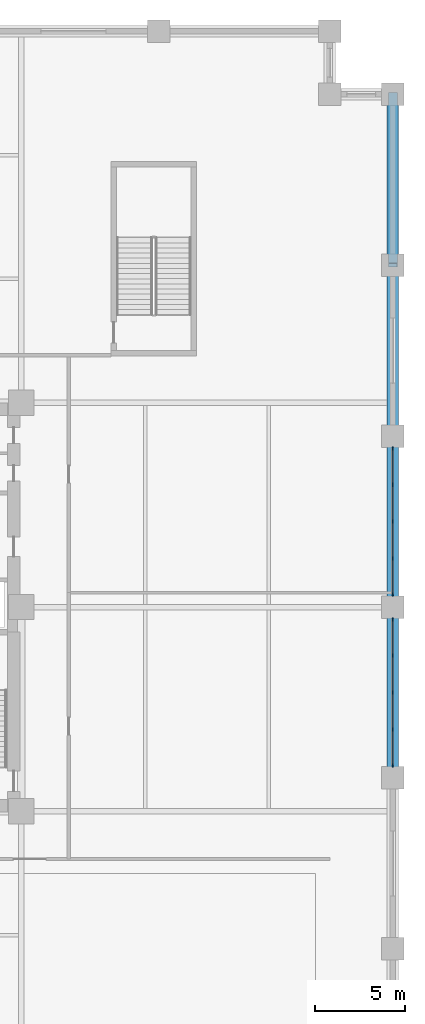
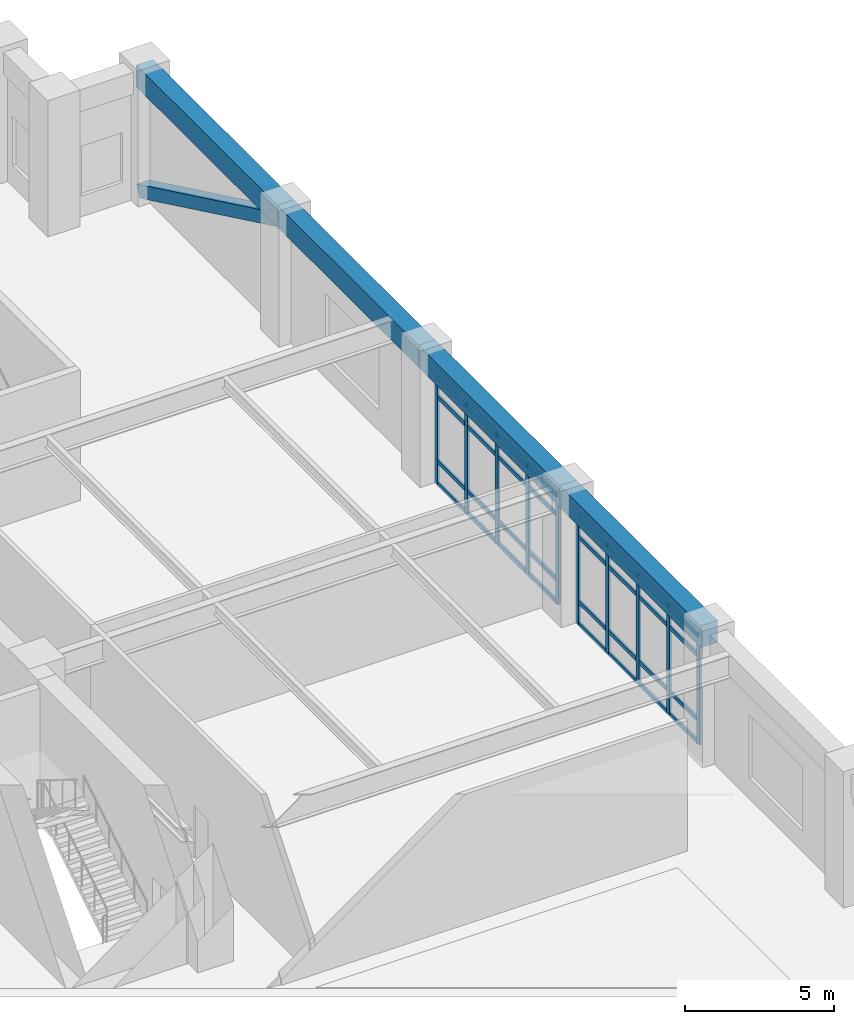
# One storey, part 8 of 21: 43 members, 4 beams, 2 elements without a shape of their own.
"""IFC4 building model written with IfcOpenShell, lengths in metres."""

import ifcopenshell
import ifcopenshell.guid

model = None  # the IFC model being written
_history = None  # IfcOwnerHistory: only IFC2X3 demands one
_inside = {}  # id of a spatial element -> (the spatial element, [elements in it])
_under = {}  # id of a project, library or spatial element -> (it, [spatial elements below it])
_declared = {}  # id of a project -> (the project, [libraries it declares])
_typed = {}  # id of a type object -> (the type object, [elements of that type])
_made_of = {}  # id of a material, layer set ... -> (it, [elements and type objects made of it])


def new_model(schema):
    """Start an empty IFC model of exactly this schema.

    Asked for "IFC4X3", IfcOpenShell would pick the latest addendum, in which some entities
    have other attributes; the version numbers below select the first issue.
    IFC2X3 requires an IfcOwnerHistory on every rooted entity: one is made here for all.
    """
    global model, _history
    if schema == "IFC4X3":
        model = ifcopenshell.file(schema_version=(4, 3, 0, 0))
    else:
        model = ifcopenshell.file(schema=schema)
    _inside.clear()
    _under.clear()
    _declared.clear()
    _typed.clear()
    _made_of.clear()
    _history = None
    if model.schema == "IFC2X3":
        org = make("IfcOrganization", Name="unknown")
        user = make(
            "IfcPersonAndOrganization",
            ThePerson=make("IfcPerson", FamilyName="unknown"),
            TheOrganization=org,
        )
        app = make(
            "IfcApplication",
            ApplicationDeveloper=org,
            Version="unknown",
            ApplicationFullName="unknown",
            ApplicationIdentifier="unknown",
        )
        _history = make(
            "IfcOwnerHistory",
            OwningUser=user,
            OwningApplication=app,
            ChangeAction="ADDED",
            CreationDate=0,
        )
    return model


def make(cls, **values):
    """One entity of the class cls with the attributes given. An attribute that is None is left unset."""
    return model.create_entity(
        cls, **{name: value for name, value in values.items() if value is not None}
    )


def rooted(cls, **values):
    """An entity with a GlobalId (a new one), such as an element, a storey or a relation."""
    return make(cls, GlobalId=ifcopenshell.guid.new(), OwnerHistory=_history, **values)


def si_unit(unit_type, name, prefix=None):
    """IfcSIUnit, for example si_unit("LENGTHUNIT", "METRE", prefix="MILLI")."""
    return make("IfcSIUnit", UnitType=unit_type, Prefix=prefix, Name=name)


def assignment(units):
    """IfcUnitAssignment: the units of a project."""
    return None if units is None else make("IfcUnitAssignment", Units=units)


def point(xyz):
    """IfcCartesianPoint."""
    return None if xyz is None else make("IfcCartesianPoint", Coordinates=xyz)


def direction(xyz):
    """IfcDirection."""
    return None if xyz is None else make("IfcDirection", DirectionRatios=xyz)


def frame(location, z_axis=None, x_axis=None):
    """IfcAxis2Placement3D, a coordinate frame: its origin and axes. An axis left out is left unset."""
    return make(
        "IfcAxis2Placement3D",
        Location=point(location),
        Axis=direction(z_axis),
        RefDirection=direction(x_axis),
    )


def frame_2d(location, x_axis=None):
    """IfcAxis2Placement2D, a coordinate frame in the plane: its origin and x axis."""
    return make(
        "IfcAxis2Placement2D", Location=point(location), RefDirection=direction(x_axis)
    )


def origin():
    """The frame at (0, 0, 0) with its axes left unset."""
    return frame((0.0, 0.0, 0.0))


def origin_2d():
    """The frame at (0, 0) in the plane with its x axis left unset."""
    return frame_2d((0.0, 0.0))


def place(relative_to, where):
    """IfcLocalPlacement: puts the frame where relative to a parent placement (None: the world)."""
    return make(
        "IfcLocalPlacement", PlacementRelTo=relative_to, RelativePlacement=where
    )


def context(
    kind, dimensions, precision=None, world=None, true_north=None, identifier=None
):
    """IfcGeometricRepresentationContext, for example the 3D "Model" context."""
    return make(
        "IfcGeometricRepresentationContext",
        ContextIdentifier=identifier,
        ContextType=kind,
        CoordinateSpaceDimension=dimensions,
        Precision=precision,
        WorldCoordinateSystem=world,
        TrueNorth=true_north,
    )


def subcontext(parent, identifier, kind, view, scale=None):
    """IfcGeometricRepresentationSubContext, for example "Body" below "Model"."""
    return make(
        "IfcGeometricRepresentationSubContext",
        ContextIdentifier=identifier,
        ContextType=kind,
        ParentContext=parent,
        TargetScale=scale,
        TargetView=view,
    )


def project(units=None, contexts=None):
    """IfcProject with its units and contexts."""
    return rooted(
        "IfcProject",
        Name="project",
        RepresentationContexts=contexts,
        UnitsInContext=assignment(units),
    )


def spatial(cls, under=None, at=None, **own):
    """A site, building, storey or space (cls), placed at a placement, below another one or the project."""
    s = rooted(cls, ObjectPlacement=at, **own)
    if under is not None:
        _under.setdefault(under.id(), (under, []))[1].append(s)
    return s


def profile(cls, at=None, kind="AREA", **sizes):
    """A parametric profile (cls). Its sizes go by their IFC names, for example OverallWidth=200.0."""
    return make(cls, ProfileType=kind, Position=at, **sizes)


def rectangle(**sizes):
    """IfcRectangleProfileDef."""
    return profile("IfcRectangleProfileDef", **sizes)


def hollow_rectangle(**sizes):
    """IfcRectangleHollowProfileDef."""
    return profile("IfcRectangleHollowProfileDef", **sizes)


def extrude(swept, where, along, depth):
    """IfcExtrudedAreaSolid: the profile swept, set in the frame where, extruded along a direction by depth."""
    return make(
        "IfcExtrudedAreaSolid",
        SweptArea=swept,
        Position=where,
        ExtrudedDirection=direction(along),
        Depth=depth,
    )


def shape(context_of_items, identifier, shape_type, items):
    """IfcShapeRepresentation: the items that make up one representation, for example the "Body"."""
    return make(
        "IfcShapeRepresentation",
        ContextOfItems=context_of_items,
        RepresentationIdentifier=identifier,
        RepresentationType=shape_type,
        Items=items,
    )


def material(Name=None, Category=None):
    """IfcMaterial."""
    return make("IfcMaterial", Name=Name, Category=Category)


def layer(
    of_material, thickness, ventilated=None, Name=None, Category=None, Priority=None
):
    """IfcMaterialLayer: one layer of a wall or slab, of a material (None: an air gap)."""
    return make(
        "IfcMaterialLayer",
        Material=of_material,
        LayerThickness=thickness,
        IsVentilated=ventilated,
        Name=Name,
        Category=Category,
        Priority=Priority,
    )


def layer_set(layers, Name=None):
    """IfcMaterialLayerSet."""
    return make("IfcMaterialLayerSet", MaterialLayers=layers, LayerSetName=Name)


def material_profile(
    of_material, cross_section, Name=None, Category=None, Priority=None
):
    """IfcMaterialProfile: a cross section and its material."""
    return make(
        "IfcMaterialProfile",
        Name=Name,
        Material=of_material,
        Profile=cross_section,
        Priority=Priority,
        Category=Category,
    )


def profile_set(profiles, Name=None, composite=None):
    """IfcMaterialProfileSet."""
    return make(
        "IfcMaterialProfileSet",
        Name=Name,
        MaterialProfiles=profiles,
        CompositeProfile=composite,
    )


def made_of(thing, what):
    """Note that an element or type object is made of a material, layer set ...; save() writes the relation."""
    if what is not None:
        _made_of.setdefault(what.id(), (what, []))[1].append(thing)
    return thing


def type_object(cls, material=None, **own):
    """A type object (cls), such as IfcWallType, which elements share."""
    return made_of(rooted(cls, **own), material)


def element(
    cls,
    number,
    at=None,
    inside=None,
    cuts=None,
    type_object=None,
    material=None,
    context=None,
    identifier="Body",
    shape_type=None,
    held_by="IfcProductDefinitionShape",
    body=None,
    shapes=None,
    **own,
):
    """One element of the class cls, such as IfcWall. Its Tag is "e" and its number.

    at: its placement. inside: the storey or other place that contains it. cuts: it is an
    opening in that element (IfcRelVoidsElement). A single representation is given by context,
    identifier, shape_type and body (its items); several are given by shapes. held_by: the class
    of the entity that holds the representations. save() writes the other relations.
    """
    e = rooted(cls, Tag="e%d" % number, ObjectPlacement=at, **own)
    if body is not None:
        shapes = [shape(context, identifier, shape_type, body)]
    if shapes is not None:
        e.Representation = make(held_by, Representations=shapes)
    if inside is not None:
        _inside.setdefault(inside.id(), (inside, []))[1].append(e)
    if cuts is not None:
        rooted(
            "IfcRelVoidsElement", RelatingBuildingElement=cuts, RelatedOpeningElement=e
        )
    if type_object is not None:
        _typed.setdefault(type_object.id(), (type_object, []))[1].append(e)
    return made_of(e, material)


def aggregate(whole, parts):
    """IfcRelAggregates: a whole, such as a stair, and the parts it consists of."""
    return rooted("IfcRelAggregates", RelatingObject=whole, RelatedObjects=parts)


def save(model, path):
    """Write the relations noted so far, then the file.

    IfcRelAggregates (storeys below a building ...), IfcRelContainedInSpatialStructure (elements
    in a storey), IfcRelDefinesByType, IfcRelAssociatesMaterial and IfcRelDeclares: one each for
    every whole, place, type object, material and project.
    """
    for whole, parts in _under.values():
        aggregate(whole, parts)
    for where, things in _inside.values():
        rooted(
            "IfcRelContainedInSpatialStructure",
            RelatedElements=things,
            RelatingStructure=where,
        )
    for kind, things in _typed.values():
        rooted("IfcRelDefinesByType", RelatedObjects=things, RelatingType=kind)
    for what, things in _made_of.values():
        rooted("IfcRelAssociatesMaterial", RelatedObjects=things, RelatingMaterial=what)
    for by, libraries in _declared.values():
        rooted("IfcRelDeclares", RelatingContext=by, RelatedDefinitions=libraries)
    model.write(path)


model = new_model("IFC4")

# Units and contexts
model_context = context("Model", 3, precision=1e-05, world=origin(), true_north=direction((0.0, 1.0)))
body_context = subcontext(model_context, "Body", "Model", "MODEL_VIEW")
ifc_project = project(units=[si_unit("LENGTHUNIT", "METRE"), si_unit("AREAUNIT", "SQUARE_METRE"), si_unit("VOLUMEUNIT", "CUBIC_METRE"), si_unit("PLANEANGLEUNIT", "RADIAN"), si_unit("MASSUNIT", "GRAM", prefix="KILO")], contexts=[model_context])

# Site, building, storey
site_placement = place(None, origin())
site = spatial("IfcSite", under=ifc_project, at=site_placement, CompositionType="ELEMENT")
building_placement = place(site_placement, origin())
building = spatial("IfcBuilding", under=site, at=building_placement, Name="Nhamokura Convention Tower", CompositionType="ELEMENT")
storey_placement = place(building_placement, frame((0.0, 0.0, 6.64990234375)))
storey = spatial("IfcBuildingStorey", under=building, at=storey_placement, Name="L01", CompositionType="ELEMENT", Elevation=6.64990234375)

# Curtain wall, members
ifc_material_1 = material(Name="Anodised bronze aluminium AA6063-T6", Category="aluminium")
ifc_layer = layer(ifc_material_1, 0.179931640625)
ifc_layer_set = layer_set([ifc_layer], Name="CWSystem_PodiumConcourse")
curtain_wall_type = type_object("IfcCurtainWallType", Name="CWSystem_PodiumConcourse", PredefinedType="NOTDEFINED", material=ifc_layer_set)
curtain_wall_1_placement = place(storey_placement, origin())
curtain_wall_1 = element("IfcCurtainWall", 1, at=curtain_wall_1_placement, inside=storey, type_object=curtain_wall_type, Name="L01 Curtain Wall ENV-L01-CW-E2", PredefinedType="NOTDEFINED")
ifc_material_2 = material(Name="Anodised bronze aluminium AA6063-T6", Category="aluminium")
ifc_material_profile_1 = material_profile(ifc_material_2, rectangle(XDim=0.077880859375, YDim=0.201904296875, at=origin_2d()))
ifc_profile_set_1 = profile_set([ifc_material_profile_1], Name="Anodised bronze aluminium AA6063-T6")
member_type_1 = type_object("IfcMemberType", Name="CWMullion_1", PredefinedType="MULLION", material=ifc_profile_set_1)
member_1_placement = place(storey_placement, frame((64.0, 31.31103515625, 0.0), z_axis=(0.0, 0.0, 1.0), x_axis=(1.0, 0.0, 0.0)))
member_1 = element("IfcMember", 2, at=member_1_placement, type_object=member_type_1, Name="CW-01 mullion 1", PredefinedType="MULLION", context=body_context, shape_type="SweptSolid", body=[
    extrude(rectangle(XDim=0.077880859375, YDim=0.201904296875, at=origin_2d()), origin(), (0.0, 0.0, 1.0), 4.460205078125),
])
member_2_placement = place(storey_placement, frame((64.0, 29.300048828125, 0.0), z_axis=(0.0, 0.0, 1.0), x_axis=(1.0, 0.0, 0.0)))
member_2 = element("IfcMember", 3, at=member_2_placement, type_object=member_type_1, Name="CW-01 mullion 2", PredefinedType="MULLION", context=body_context, shape_type="SweptSolid", body=[
    extrude(rectangle(XDim=0.077880859375, YDim=0.201904296875, at=origin_2d()), origin(), (0.0, 0.0, 1.0), 4.460205078125),
])
member_3_placement = place(storey_placement, frame((64.0, 27.25, 0.0), z_axis=(0.0, 0.0, 1.0), x_axis=(1.0, 0.0, 0.0)))
member_3 = element("IfcMember", 4, at=member_3_placement, type_object=member_type_1, Name="CW-01 mullion 3", PredefinedType="MULLION", context=body_context, shape_type="SweptSolid", body=[
    extrude(rectangle(XDim=0.077880859375, YDim=0.201904296875, at=origin_2d()), origin(), (0.0, 0.0, 1.0), 4.460205078125),
])
member_4_placement = place(storey_placement, frame((64.0, 25.199951171875, 0.0), z_axis=(0.0, 0.0, 1.0), x_axis=(1.0, 0.0, 0.0)))
member_4 = element("IfcMember", 5, at=member_4_placement, type_object=member_type_1, Name="CW-01 mullion 4", PredefinedType="MULLION", context=body_context, shape_type="SweptSolid", body=[
    extrude(rectangle(XDim=0.077880859375, YDim=0.201904296875, at=origin_2d()), origin(), (0.0, 0.0, 1.0), 4.460205078125),
])
member_5_placement = place(storey_placement, frame((64.0, 23.18896484375, 0.0), z_axis=(0.0, 0.0, 1.0), x_axis=(1.0, 0.0, 0.0)))
member_5 = element("IfcMember", 6, at=member_5_placement, type_object=member_type_1, Name="CW-01 mullion 5", PredefinedType="MULLION", context=body_context, shape_type="SweptSolid", body=[
    extrude(rectangle(XDim=0.077880859375, YDim=0.201904296875, at=origin_2d()), origin(), (0.0, 0.0, 1.0), 4.460205078125),
])

curtain_wall_2_placement = place(storey_placement, origin())
curtain_wall_2 = element("IfcCurtainWall", 7, at=curtain_wall_2_placement, inside=storey, type_object=curtain_wall_type, Name="L01 Curtain Wall ENV-L01-CW-E3", PredefinedType="NOTDEFINED")
member_6_placement = place(storey_placement, frame((64.0, 40.81103515625, 0.0), z_axis=(0.0, 0.0, 1.0), x_axis=(1.0, 0.0, 0.0)))
member_6 = element("IfcMember", 8, at=member_6_placement, type_object=member_type_1, Name="CW-01 mullion 1", PredefinedType="MULLION", context=body_context, shape_type="SweptSolid", body=[
    extrude(rectangle(XDim=0.077880859375, YDim=0.201904296875, at=origin_2d()), origin(), (0.0, 0.0, 1.0), 4.460205078125),
])
member_7_placement = place(storey_placement, frame((64.0, 38.800048828125, 0.0), z_axis=(0.0, 0.0, 1.0), x_axis=(1.0, 0.0, 0.0)))
member_7 = element("IfcMember", 9, at=member_7_placement, type_object=member_type_1, Name="CW-01 mullion 2", PredefinedType="MULLION", context=body_context, shape_type="SweptSolid", body=[
    extrude(rectangle(XDim=0.077880859375, YDim=0.201904296875, at=origin_2d()), origin(), (0.0, 0.0, 1.0), 4.460205078125),
])
member_8_placement = place(storey_placement, frame((64.0, 36.75, 0.0), z_axis=(0.0, 0.0, 1.0), x_axis=(1.0, 0.0, 0.0)))
member_8 = element("IfcMember", 10, at=member_8_placement, type_object=member_type_1, Name="CW-01 mullion 3", PredefinedType="MULLION", context=body_context, shape_type="SweptSolid", body=[
    extrude(rectangle(XDim=0.077880859375, YDim=0.201904296875, at=origin_2d()), origin(), (0.0, 0.0, 1.0), 4.460205078125),
])
member_9_placement = place(storey_placement, frame((64.0, 34.699951171875, 0.0), z_axis=(0.0, 0.0, 1.0), x_axis=(1.0, 0.0, 0.0)))
member_9 = element("IfcMember", 11, at=member_9_placement, type_object=member_type_1, Name="CW-01 mullion 4", PredefinedType="MULLION", context=body_context, shape_type="SweptSolid", body=[
    extrude(rectangle(XDim=0.077880859375, YDim=0.201904296875, at=origin_2d()), origin(), (0.0, 0.0, 1.0), 4.460205078125),
])
member_10_placement = place(storey_placement, frame((64.0, 32.68896484375, 0.0), z_axis=(0.0, 0.0, 1.0), x_axis=(1.0, 0.0, 0.0)))
member_10 = element("IfcMember", 12, at=member_10_placement, type_object=member_type_1, Name="CW-01 mullion 5", PredefinedType="MULLION", context=body_context, shape_type="SweptSolid", body=[
    extrude(rectangle(XDim=0.077880859375, YDim=0.201904296875, at=origin_2d()), origin(), (0.0, 0.0, 1.0), 4.460205078125),
])

# Member
ifc_material_3 = material(Name="Anodised bronze aluminium AA6063-T6", Category="aluminium")
ifc_material_profile_2 = material_profile(ifc_material_3, rectangle(XDim=0.077880859375, YDim=0.172119140625, at=origin_2d()))
ifc_profile_set_2 = profile_set([ifc_material_profile_2], Name="Anodised bronze aluminium AA6063-T6")
member_type_2 = type_object("IfcMemberType", Name="CWTransom_1", PredefinedType="USERDEFINED", material=ifc_profile_set_2)
member_11_placement = place(storey_placement, frame((64.0, 31.27197265625, 0.0390625), z_axis=(0.0, -1.0, 0.0), x_axis=(1.0, 0.0, 0.0)))
member_11 = element("IfcMember", 13, at=member_11_placement, type_object=member_type_2, Name="CW-01 transom 1.1", ObjectType="TRANSOM", PredefinedType="USERDEFINED", context=body_context, shape_type="SweptSolid", body=[
    extrude(rectangle(XDim=0.077880859375, YDim=0.172119140625, at=origin_2d()), origin(), (0.0, 0.0, 1.0), 1.932861328125),
])

member_12_placement = place(storey_placement, frame((64.0, 31.27197265625, 0.9501953125), z_axis=(0.0, -1.0, 0.0), x_axis=(1.0, 0.0, 0.0)))
member_12 = element("IfcMember", 14, at=member_12_placement, type_object=member_type_2, Name="CW-01 transom 1.2", ObjectType="TRANSOM", PredefinedType="USERDEFINED", context=body_context, shape_type="SweptSolid", body=[
    extrude(rectangle(XDim=0.077880859375, YDim=0.172119140625, at=origin_2d()), origin(), (0.0, 0.0, 1.0), 1.932861328125),
])

member_13_placement = place(storey_placement, frame((64.0, 31.27197265625, 3.610107421875), z_axis=(0.0, -1.0, 0.0), x_axis=(1.0, 0.0, 0.0)))
member_13 = element("IfcMember", 15, at=member_13_placement, type_object=member_type_2, Name="CW-01 transom 1.3", ObjectType="TRANSOM", PredefinedType="USERDEFINED", context=body_context, shape_type="SweptSolid", body=[
    extrude(rectangle(XDim=0.077880859375, YDim=0.172119140625, at=origin_2d()), origin(), (0.0, 0.0, 1.0), 1.932861328125),
])

member_14_placement = place(storey_placement, frame((64.0, 31.27197265625, 4.421142578125), z_axis=(0.0, -1.0, 0.0), x_axis=(1.0, 0.0, 0.0)))
member_14 = element("IfcMember", 16, at=member_14_placement, type_object=member_type_2, Name="CW-01 transom 1.4", ObjectType="TRANSOM", PredefinedType="USERDEFINED", context=body_context, shape_type="SweptSolid", body=[
    extrude(rectangle(XDim=0.077880859375, YDim=0.172119140625, at=origin_2d()), origin(), (0.0, 0.0, 1.0), 1.932861328125),
])

member_15_placement = place(storey_placement, frame((64.0, 29.260986328125, 0.0390625), z_axis=(0.0, -1.0, 0.0), x_axis=(1.0, 0.0, 0.0)))
member_15 = element("IfcMember", 17, at=member_15_placement, type_object=member_type_2, Name="CW-01 transom 2.1", ObjectType="TRANSOM", PredefinedType="USERDEFINED", context=body_context, shape_type="SweptSolid", body=[
    extrude(rectangle(XDim=0.077880859375, YDim=0.172119140625, at=origin_2d()), origin(), (0.0, 0.0, 1.0), 1.971923828125),
])

member_16_placement = place(storey_placement, frame((64.0, 29.260986328125, 0.9501953125), z_axis=(0.0, -1.0, 0.0), x_axis=(1.0, 0.0, 0.0)))
member_16 = element("IfcMember", 18, at=member_16_placement, type_object=member_type_2, Name="CW-01 transom 2.2", ObjectType="TRANSOM", PredefinedType="USERDEFINED", context=body_context, shape_type="SweptSolid", body=[
    extrude(rectangle(XDim=0.077880859375, YDim=0.172119140625, at=origin_2d()), origin(), (0.0, 0.0, 1.0), 1.971923828125),
])

member_17_placement = place(storey_placement, frame((64.0, 29.260986328125, 3.610107421875), z_axis=(0.0, -1.0, 0.0), x_axis=(1.0, 0.0, 0.0)))
member_17 = element("IfcMember", 19, at=member_17_placement, type_object=member_type_2, Name="CW-01 transom 2.3", ObjectType="TRANSOM", PredefinedType="USERDEFINED", context=body_context, shape_type="SweptSolid", body=[
    extrude(rectangle(XDim=0.077880859375, YDim=0.172119140625, at=origin_2d()), origin(), (0.0, 0.0, 1.0), 1.971923828125),
])

member_18_placement = place(storey_placement, frame((64.0, 29.260986328125, 4.421142578125), z_axis=(0.0, -1.0, 0.0), x_axis=(1.0, 0.0, 0.0)))
member_18 = element("IfcMember", 20, at=member_18_placement, type_object=member_type_2, Name="CW-01 transom 2.4", ObjectType="TRANSOM", PredefinedType="USERDEFINED", context=body_context, shape_type="SweptSolid", body=[
    extrude(rectangle(XDim=0.077880859375, YDim=0.172119140625, at=origin_2d()), origin(), (0.0, 0.0, 1.0), 1.971923828125),
])

member_19_placement = place(storey_placement, frame((64.0, 27.2109375, 0.0390625), z_axis=(0.0, -1.0, 0.0), x_axis=(1.0, 0.0, 0.0)))
member_19 = element("IfcMember", 21, at=member_19_placement, type_object=member_type_2, Name="CW-01 transom 3.1", ObjectType="TRANSOM", PredefinedType="USERDEFINED", context=body_context, shape_type="SweptSolid", body=[
    extrude(rectangle(XDim=0.077880859375, YDim=0.172119140625, at=origin_2d()), origin(), (0.0, 0.0, 1.0), 1.971923828125),
])

member_20_placement = place(storey_placement, frame((64.0, 27.2109375, 0.9501953125), z_axis=(0.0, -1.0, 0.0), x_axis=(1.0, 0.0, 0.0)))
member_20 = element("IfcMember", 22, at=member_20_placement, type_object=member_type_2, Name="CW-01 transom 3.2", ObjectType="TRANSOM", PredefinedType="USERDEFINED", context=body_context, shape_type="SweptSolid", body=[
    extrude(rectangle(XDim=0.077880859375, YDim=0.172119140625, at=origin_2d()), origin(), (0.0, 0.0, 1.0), 1.971923828125),
])

member_21_placement = place(storey_placement, frame((64.0, 27.2109375, 3.610107421875), z_axis=(0.0, -1.0, 0.0), x_axis=(1.0, 0.0, 0.0)))
member_21 = element("IfcMember", 23, at=member_21_placement, type_object=member_type_2, Name="CW-01 transom 3.3", ObjectType="TRANSOM", PredefinedType="USERDEFINED", context=body_context, shape_type="SweptSolid", body=[
    extrude(rectangle(XDim=0.077880859375, YDim=0.172119140625, at=origin_2d()), origin(), (0.0, 0.0, 1.0), 1.971923828125),
])

member_22_placement = place(storey_placement, frame((64.0, 27.2109375, 4.421142578125), z_axis=(0.0, -1.0, 0.0), x_axis=(1.0, 0.0, 0.0)))
member_22 = element("IfcMember", 24, at=member_22_placement, type_object=member_type_2, Name="CW-01 transom 3.4", ObjectType="TRANSOM", PredefinedType="USERDEFINED", context=body_context, shape_type="SweptSolid", body=[
    extrude(rectangle(XDim=0.077880859375, YDim=0.172119140625, at=origin_2d()), origin(), (0.0, 0.0, 1.0), 1.971923828125),
])

member_23_placement = place(storey_placement, frame((64.0, 25.160888671875, 0.0390625), z_axis=(0.0, -1.0, 0.0), x_axis=(1.0, 0.0, 0.0)))
member_23 = element("IfcMember", 25, at=member_23_placement, type_object=member_type_2, Name="CW-01 transom 4.1", ObjectType="TRANSOM", PredefinedType="USERDEFINED", context=body_context, shape_type="SweptSolid", body=[
    extrude(rectangle(XDim=0.077880859375, YDim=0.172119140625, at=origin_2d()), origin(), (0.0, 0.0, 1.0), 1.932861328125),
])

member_24_placement = place(storey_placement, frame((64.0, 25.160888671875, 0.9501953125), z_axis=(0.0, -1.0, 0.0), x_axis=(1.0, 0.0, 0.0)))
member_24 = element("IfcMember", 26, at=member_24_placement, type_object=member_type_2, Name="CW-01 transom 4.2", ObjectType="TRANSOM", PredefinedType="USERDEFINED", context=body_context, shape_type="SweptSolid", body=[
    extrude(rectangle(XDim=0.077880859375, YDim=0.172119140625, at=origin_2d()), origin(), (0.0, 0.0, 1.0), 1.932861328125),
])

member_25_placement = place(storey_placement, frame((64.0, 25.160888671875, 3.610107421875), z_axis=(0.0, -1.0, 0.0), x_axis=(1.0, 0.0, 0.0)))
member_25 = element("IfcMember", 27, at=member_25_placement, type_object=member_type_2, Name="CW-01 transom 4.3", ObjectType="TRANSOM", PredefinedType="USERDEFINED", context=body_context, shape_type="SweptSolid", body=[
    extrude(rectangle(XDim=0.077880859375, YDim=0.172119140625, at=origin_2d()), origin(), (0.0, 0.0, 1.0), 1.932861328125),
])

member_26_placement = place(storey_placement, frame((64.0, 25.160888671875, 4.421142578125), z_axis=(0.0, -1.0, 0.0), x_axis=(1.0, 0.0, 0.0)))
member_26 = element("IfcMember", 28, at=member_26_placement, type_object=member_type_2, Name="CW-01 transom 4.4", ObjectType="TRANSOM", PredefinedType="USERDEFINED", context=body_context, shape_type="SweptSolid", body=[
    extrude(rectangle(XDim=0.077880859375, YDim=0.172119140625, at=origin_2d()), origin(), (0.0, 0.0, 1.0), 1.932861328125),
])

aggregate(curtain_wall_1, [member_1, member_2, member_3, member_4, member_5, member_11, member_12, member_13, member_14, member_15, member_16, member_17, member_18, member_19, member_20, member_21, member_22, member_23, member_24, member_25, member_26])

member_27_placement = place(storey_placement, frame((64.0, 40.77197265625, 0.0390625), z_axis=(0.0, -1.0, 0.0), x_axis=(1.0, 0.0, 0.0)))
member_27 = element("IfcMember", 29, at=member_27_placement, type_object=member_type_2, Name="CW-01 transom 1.1", ObjectType="TRANSOM", PredefinedType="USERDEFINED", context=body_context, shape_type="SweptSolid", body=[
    extrude(rectangle(XDim=0.077880859375, YDim=0.172119140625, at=origin_2d()), origin(), (0.0, 0.0, 1.0), 1.932861328125),
])

member_28_placement = place(storey_placement, frame((64.0, 40.77197265625, 0.9501953125), z_axis=(0.0, -1.0, 0.0), x_axis=(1.0, 0.0, 0.0)))
member_28 = element("IfcMember", 30, at=member_28_placement, type_object=member_type_2, Name="CW-01 transom 1.2", ObjectType="TRANSOM", PredefinedType="USERDEFINED", context=body_context, shape_type="SweptSolid", body=[
    extrude(rectangle(XDim=0.077880859375, YDim=0.172119140625, at=origin_2d()), origin(), (0.0, 0.0, 1.0), 1.932861328125),
])

member_29_placement = place(storey_placement, frame((64.0, 40.77197265625, 3.610107421875), z_axis=(0.0, -1.0, 0.0), x_axis=(1.0, 0.0, 0.0)))
member_29 = element("IfcMember", 31, at=member_29_placement, type_object=member_type_2, Name="CW-01 transom 1.3", ObjectType="TRANSOM", PredefinedType="USERDEFINED", context=body_context, shape_type="SweptSolid", body=[
    extrude(rectangle(XDim=0.077880859375, YDim=0.172119140625, at=origin_2d()), origin(), (0.0, 0.0, 1.0), 1.932861328125),
])

member_30_placement = place(storey_placement, frame((64.0, 40.77197265625, 4.421142578125), z_axis=(0.0, -1.0, 0.0), x_axis=(1.0, 0.0, 0.0)))
member_30 = element("IfcMember", 32, at=member_30_placement, type_object=member_type_2, Name="CW-01 transom 1.4", ObjectType="TRANSOM", PredefinedType="USERDEFINED", context=body_context, shape_type="SweptSolid", body=[
    extrude(rectangle(XDim=0.077880859375, YDim=0.172119140625, at=origin_2d()), origin(), (0.0, 0.0, 1.0), 1.932861328125),
])

member_31_placement = place(storey_placement, frame((64.0, 38.760986328125, 0.0390625), z_axis=(0.0, -1.0, 0.0), x_axis=(1.0, 0.0, 0.0)))
member_31 = element("IfcMember", 33, at=member_31_placement, type_object=member_type_2, Name="CW-01 transom 2.1", ObjectType="TRANSOM", PredefinedType="USERDEFINED", context=body_context, shape_type="SweptSolid", body=[
    extrude(rectangle(XDim=0.077880859375, YDim=0.172119140625, at=origin_2d()), origin(), (0.0, 0.0, 1.0), 1.971923828125),
])

member_32_placement = place(storey_placement, frame((64.0, 38.760986328125, 0.9501953125), z_axis=(0.0, -1.0, 0.0), x_axis=(1.0, 0.0, 0.0)))
member_32 = element("IfcMember", 34, at=member_32_placement, type_object=member_type_2, Name="CW-01 transom 2.2", ObjectType="TRANSOM", PredefinedType="USERDEFINED", context=body_context, shape_type="SweptSolid", body=[
    extrude(rectangle(XDim=0.077880859375, YDim=0.172119140625, at=origin_2d()), origin(), (0.0, 0.0, 1.0), 1.971923828125),
])

member_33_placement = place(storey_placement, frame((64.0, 38.760986328125, 3.610107421875), z_axis=(0.0, -1.0, 0.0), x_axis=(1.0, 0.0, 0.0)))
member_33 = element("IfcMember", 35, at=member_33_placement, type_object=member_type_2, Name="CW-01 transom 2.3", ObjectType="TRANSOM", PredefinedType="USERDEFINED", context=body_context, shape_type="SweptSolid", body=[
    extrude(rectangle(XDim=0.077880859375, YDim=0.172119140625, at=origin_2d()), origin(), (0.0, 0.0, 1.0), 1.971923828125),
])

member_34_placement = place(storey_placement, frame((64.0, 38.760986328125, 4.421142578125), z_axis=(0.0, -1.0, 0.0), x_axis=(1.0, 0.0, 0.0)))
member_34 = element("IfcMember", 36, at=member_34_placement, type_object=member_type_2, Name="CW-01 transom 2.4", ObjectType="TRANSOM", PredefinedType="USERDEFINED", context=body_context, shape_type="SweptSolid", body=[
    extrude(rectangle(XDim=0.077880859375, YDim=0.172119140625, at=origin_2d()), origin(), (0.0, 0.0, 1.0), 1.971923828125),
])

member_35_placement = place(storey_placement, frame((64.0, 36.7109375, 0.0390625), z_axis=(0.0, -1.0, 0.0), x_axis=(1.0, 0.0, 0.0)))
member_35 = element("IfcMember", 37, at=member_35_placement, type_object=member_type_2, Name="CW-01 transom 3.1", ObjectType="TRANSOM", PredefinedType="USERDEFINED", context=body_context, shape_type="SweptSolid", body=[
    extrude(rectangle(XDim=0.077880859375, YDim=0.172119140625, at=origin_2d()), origin(), (0.0, 0.0, 1.0), 1.971923828125),
])

member_36_placement = place(storey_placement, frame((64.0, 36.7109375, 0.9501953125), z_axis=(0.0, -1.0, 0.0), x_axis=(1.0, 0.0, 0.0)))
member_36 = element("IfcMember", 38, at=member_36_placement, type_object=member_type_2, Name="CW-01 transom 3.2", ObjectType="TRANSOM", PredefinedType="USERDEFINED", context=body_context, shape_type="SweptSolid", body=[
    extrude(rectangle(XDim=0.077880859375, YDim=0.172119140625, at=origin_2d()), origin(), (0.0, 0.0, 1.0), 1.971923828125),
])

member_37_placement = place(storey_placement, frame((64.0, 36.7109375, 3.610107421875), z_axis=(0.0, -1.0, 0.0), x_axis=(1.0, 0.0, 0.0)))
member_37 = element("IfcMember", 39, at=member_37_placement, type_object=member_type_2, Name="CW-01 transom 3.3", ObjectType="TRANSOM", PredefinedType="USERDEFINED", context=body_context, shape_type="SweptSolid", body=[
    extrude(rectangle(XDim=0.077880859375, YDim=0.172119140625, at=origin_2d()), origin(), (0.0, 0.0, 1.0), 1.971923828125),
])

member_38_placement = place(storey_placement, frame((64.0, 36.7109375, 4.421142578125), z_axis=(0.0, -1.0, 0.0), x_axis=(1.0, 0.0, 0.0)))
member_38 = element("IfcMember", 40, at=member_38_placement, type_object=member_type_2, Name="CW-01 transom 3.4", ObjectType="TRANSOM", PredefinedType="USERDEFINED", context=body_context, shape_type="SweptSolid", body=[
    extrude(rectangle(XDim=0.077880859375, YDim=0.172119140625, at=origin_2d()), origin(), (0.0, 0.0, 1.0), 1.971923828125),
])

member_39_placement = place(storey_placement, frame((64.0, 34.660888671875, 0.0390625), z_axis=(0.0, -1.0, 0.0), x_axis=(1.0, 0.0, 0.0)))
member_39 = element("IfcMember", 41, at=member_39_placement, type_object=member_type_2, Name="CW-01 transom 4.1", ObjectType="TRANSOM", PredefinedType="USERDEFINED", context=body_context, shape_type="SweptSolid", body=[
    extrude(rectangle(XDim=0.077880859375, YDim=0.172119140625, at=origin_2d()), origin(), (0.0, 0.0, 1.0), 1.932861328125),
])

member_40_placement = place(storey_placement, frame((64.0, 34.660888671875, 0.9501953125), z_axis=(0.0, -1.0, 0.0), x_axis=(1.0, 0.0, 0.0)))
member_40 = element("IfcMember", 42, at=member_40_placement, type_object=member_type_2, Name="CW-01 transom 4.2", ObjectType="TRANSOM", PredefinedType="USERDEFINED", context=body_context, shape_type="SweptSolid", body=[
    extrude(rectangle(XDim=0.077880859375, YDim=0.172119140625, at=origin_2d()), origin(), (0.0, 0.0, 1.0), 1.932861328125),
])

member_41_placement = place(storey_placement, frame((64.0, 34.660888671875, 3.610107421875), z_axis=(0.0, -1.0, 0.0), x_axis=(1.0, 0.0, 0.0)))
member_41 = element("IfcMember", 43, at=member_41_placement, type_object=member_type_2, Name="CW-01 transom 4.3", ObjectType="TRANSOM", PredefinedType="USERDEFINED", context=body_context, shape_type="SweptSolid", body=[
    extrude(rectangle(XDim=0.077880859375, YDim=0.172119140625, at=origin_2d()), origin(), (0.0, 0.0, 1.0), 1.932861328125),
])

member_42_placement = place(storey_placement, frame((64.0, 34.660888671875, 4.421142578125), z_axis=(0.0, -1.0, 0.0), x_axis=(1.0, 0.0, 0.0)))
member_42 = element("IfcMember", 44, at=member_42_placement, type_object=member_type_2, Name="CW-01 transom 4.4", ObjectType="TRANSOM", PredefinedType="USERDEFINED", context=body_context, shape_type="SweptSolid", body=[
    extrude(rectangle(XDim=0.077880859375, YDim=0.172119140625, at=origin_2d()), origin(), (0.0, 0.0, 1.0), 1.932861328125),
])

aggregate(curtain_wall_2, [member_6, member_7, member_8, member_9, member_10, member_27, member_28, member_29, member_30, member_31, member_32, member_33, member_34, member_35, member_36, member_37, member_38, member_39, member_40, member_41, member_42])

ifc_material_4 = material(Name="Steel ASTM A572 Gr 50", Category="steel")
ifc_material_profile_3 = material_profile(ifc_material_4, hollow_rectangle(XDim=0.5, YDim=0.5, WallThickness=0.02490234375, at=origin_2d()))
ifc_profile_set_3 = profile_set([ifc_material_profile_3], Name="Steel ASTM A572 Gr 50")
member_type_3 = type_object("IfcMemberType", Name="TubeBrace_HSS500", PredefinedType="BRACE", material=ifc_profile_set_3)
member_43_placement = place(storey_placement, frame((64.0, 60.5, 0.150146484375), z_axis=(0.0, -0.901520888263, 0.432735586734), x_axis=(1.0, 0.0, 0.0)))
element("IfcMember", 45, at=member_43_placement, inside=storey, type_object=member_type_3, Name="L01 Perimeter Tube Brace EAST Bay 5", PredefinedType="BRACE", context=body_context, shape_type="SweptSolid", body=[
    extrude(hollow_rectangle(XDim=0.5, YDim=0.5, WallThickness=0.02490234375, at=origin_2d()), origin(), (0.0, 0.0, 1.0), 10.537841796875),
])

# Beams
ifc_material_5 = material(Name="Concrete C60/75", Category="concrete")
ifc_material_profile_4 = material_profile(ifc_material_5, rectangle(XDim=0.64990234375, YDim=0.89990234375, at=origin_2d()))
ifc_profile_set_4 = profile_set([ifc_material_profile_4], Name="Concrete C60/75")
beam_type = type_object("IfcBeamType", Name="TubeSpandrel_900", PredefinedType="SPANDREL", material=ifc_profile_set_4)
for number, where, z_axis, x_axis, name in (
    (46, (64.0, 22.5, 4.91015625), (0.0, 1.0, 0.0), (-1.0, 0.0, 0.0), "L01 Perimeter Spandrel EAST 3"),
    (47, (64.0, 32.0, 4.91015625), (0.0, 1.0, 0.0), (-1.0, 0.0, 0.0), "L01 Perimeter Spandrel EAST 4"),
    (48, (64.0, 41.5, 4.91015625), (0.0, 1.0, 0.0), (-1.0, 0.0, 0.0), "L01 Perimeter Spandrel EAST 5"),
    (49, (64.0, 51.0, 4.91015625), (0.0, 1.0, 0.0), (-1.0, 0.0, 0.0), "L01 Perimeter Spandrel EAST 6"),
):
    element("IfcBeam", number, at=place(storey_placement, frame(where, z_axis=z_axis, x_axis=x_axis)), inside=storey, type_object=beam_type, Name=name, PredefinedType="SPANDREL", context=body_context, shape_type="SweptSolid", body=[
        extrude(rectangle(XDim=0.64990234375, YDim=0.89990234375, at=origin_2d()), origin(), (0.0, 0.0, 1.0), 9.5),
    ])

save(model, "model.ifc")
